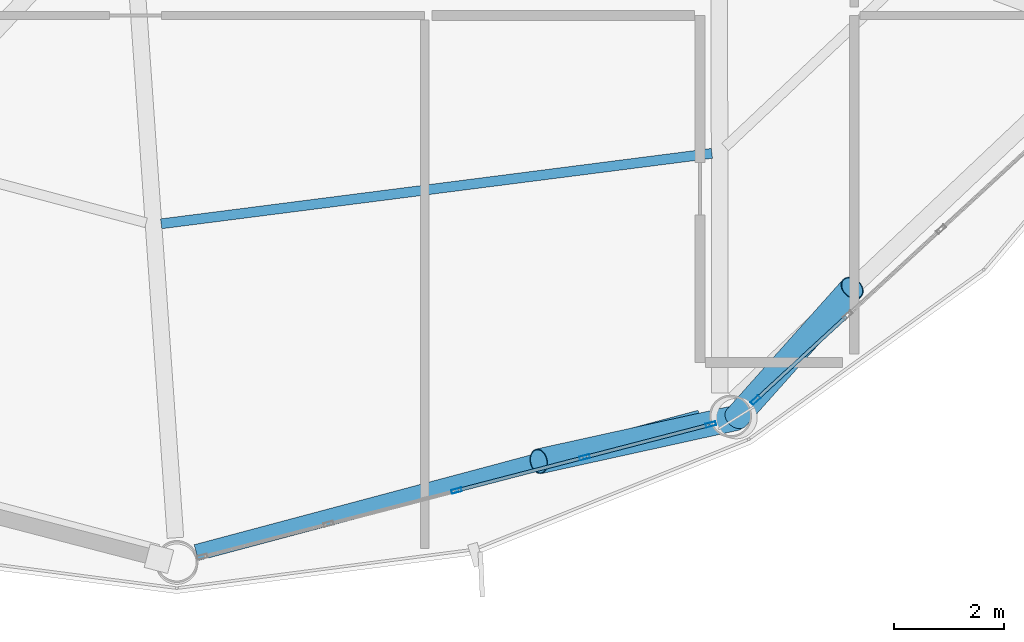
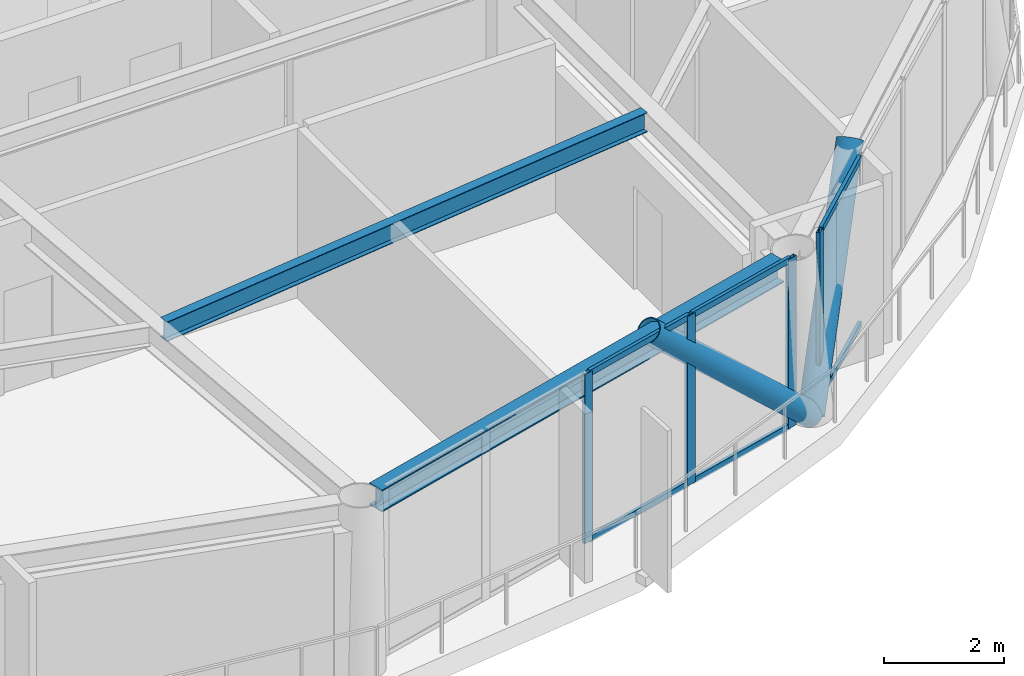
# One storey, part 8 of 26: 12 members, 2 beams, 2 elements without a shape of their own.
"""IFC4 building model written with IfcOpenShell, lengths in metres."""

from ifc_helpers import new_model, si_unit, direction, frame, origin, origin_2d, place, context, subcontext, project, spatial, hollow_rectangle, hollow_circle, i_section, extrude, material, layer, layer_set, material_profile, profile_set, type_object, element, aggregate, save


model = new_model("IFC4")

# Units and contexts
model_context = context("Model", 3, precision=1e-05, world=origin(), true_north=direction((0.0, 1.0)))
body_context = subcontext(model_context, "Body", "Model", "MODEL_VIEW")
ifc_project = project(units=[si_unit("LENGTHUNIT", "METRE"), si_unit("AREAUNIT", "SQUARE_METRE"), si_unit("VOLUMEUNIT", "CUBIC_METRE"), si_unit("PLANEANGLEUNIT", "RADIAN"), si_unit("MASSUNIT", "GRAM", prefix="KILO")], contexts=[model_context])

# Site, building, storey
site_placement = place(None, origin())
site = spatial("IfcSite", under=ifc_project, at=site_placement, CompositionType="ELEMENT")
building_placement = place(site_placement, origin())
building = spatial("IfcBuilding", under=site, at=building_placement, Name="Varnakorn Sky Granary", CompositionType="ELEMENT")
storey_placement = place(building_placement, frame((0.0, 0.0, 169.5)))
storey = spatial("IfcBuildingStorey", under=building, at=storey_placement, Name="L42", CompositionType="ELEMENT", Elevation=169.5)

# Beams
ifc_material_1 = material(Name="Steel S355JR", Category="steel")
ifc_material_profile_1 = material_profile(ifc_material_1, i_section(OverallWidth=0.179931640625, OverallDepth=0.39990234375, WebThickness=0.008544921875, FlangeThickness=0.013427734375, at=origin_2d()), Name="IPE 400")
ifc_profile_set_1 = profile_set([ifc_material_profile_1], Name="Steel S355JR")
beam_type_1 = type_object("IfcBeamType", Name="BM-SEC-Z3", PredefinedType="BEAM", material=ifc_profile_set_1)
beam_1_placement = place(storey_placement, frame((-1.7841796875, -12.68408203125, 3.25), z_axis=(0.991920625621, 0.126860050713, 0.0), x_axis=(-0.126860050713, 0.991920625621, 0.0)))
element("IfcBeam", 1, at=beam_1_placement, inside=storey, type_object=beam_type_1, Name="Secondary Floor Chord Beam MSB10 L42", PredefinedType="BEAM", context=body_context, shape_type="SweptSolid", body=[
    extrude(i_section(OverallWidth=0.179931640625, OverallDepth=0.39990234375, WebThickness=0.008544921875, FlangeThickness=0.013427734375, at=origin_2d()), origin(), (0.0, 0.0, 1.0), 10.08056640625),
])
ifc_material_profile_2 = material_profile(ifc_material_1, i_section(OverallWidth=0.300048828125, OverallDepth=0.449951171875, WebThickness=0.013916015625, FlangeThickness=0.02587890625, at=origin_2d()), Name="HE 450 B")
ifc_profile_set_2 = profile_set([ifc_material_profile_2], Name="Steel S355JR")
beam_type_2 = type_object("IfcBeamType", Name="BM-SPD-Z3", PredefinedType="SPANDREL", material=ifc_profile_set_2)
beam_2_placement = place(storey_placement, frame((-1.146484375, -18.65576171875, 3.22509765625), z_axis=(0.966226381463, 0.257694741438, 0.0), x_axis=(-0.257694741438, 0.966226381463, 0.0)))
element("IfcBeam", 2, at=beam_2_placement, inside=storey, type_object=beam_type_2, Name="Perimeter Spandrel Ring Beam RB10 L42", PredefinedType="SPANDREL", context=body_context, shape_type="SweptSolid", body=[
    extrude(i_section(OverallWidth=0.300048828125, OverallDepth=0.449951171875, WebThickness=0.013916015625, FlangeThickness=0.02587890625, at=origin_2d()), origin(), (0.0, 0.0, 1.0), 9.47021484375),
])

# Curtain wall, members
ifc_material_2 = material(Name="Anodised Bronze Aluminium Alloy 6063-T6", Category="aluminium")
ifc_layer = layer(ifc_material_2, 0.179931640625, Name="Anodised Bronze Aluminium Alloy 6063-T6")
ifc_layer_set = layer_set([ifc_layer], Name="Anodised Bronze Aluminium Alloy 6063-T6")
curtain_wall_type = type_object("IfcCurtainWallType", Name="CW-FRM-2", PredefinedType="USERDEFINED", material=ifc_layer_set)
curtain_wall_1_placement = place(storey_placement, origin())
curtain_wall_1 = element("IfcCurtainWall", 3, at=curtain_wall_1_placement, inside=storey, type_object=curtain_wall_type, Name="Unitised Curtain Wall CW4 CW-L42-B10", ObjectType="CURTAIN WALL", PredefinedType="USERDEFINED")
ifc_material_profile_3 = material_profile(ifc_material_2, hollow_rectangle(XDim=0.070068359375, YDim=0.18505859375, WallThickness=0.00390625, at=origin_2d()), Name="ALU MULL 70x185")
ifc_profile_set_3 = profile_set([ifc_material_profile_3], Name="Anodised Bronze Aluminium Alloy 6063-T6")
member_type_1 = type_object("IfcMemberType", Name="CW-FRM-2-MULL", PredefinedType="MULLION", material=ifc_profile_set_3)
member_1_placement = place(storey_placement, frame((8.19677734375, -16.327392578125, 0.0), z_axis=(0.0, 0.0, 1.0), x_axis=(0.251759148896, -0.967789920875, 0.0)))
member_1 = element("IfcMember", 4, at=member_1_placement, type_object=member_type_1, Name="CW4 mullion 1", PredefinedType="MULLION", context=body_context, shape_type="SweptSolid", body=[
    extrude(hollow_rectangle(XDim=0.070068359375, YDim=0.18505859375, WallThickness=0.00390625, at=origin_2d()), origin(), (0.0, 0.0, 1.0), 3.449951171875),
])
member_2_placement = place(storey_placement, frame((5.90478515625, -16.923828125, 0.0), z_axis=(0.0, 0.0, 1.0), x_axis=(0.251759148896, -0.967789920875, 0.0)))
member_2 = element("IfcMember", 5, at=member_2_placement, type_object=member_type_1, Name="CW4 mullion 2", PredefinedType="MULLION", context=body_context, shape_type="SweptSolid", body=[
    extrude(hollow_rectangle(XDim=0.070068359375, YDim=0.18505859375, WallThickness=0.00390625, at=origin_2d()), origin(), (0.0, 0.0, 1.0), 3.449951171875),
])
member_3_placement = place(storey_placement, frame((3.578857421875, -17.52880859375, 0.0), z_axis=(0.0, 0.0, 1.0), x_axis=(0.251759148896, -0.967789920875, 0.0)))
member_3 = element("IfcMember", 6, at=member_3_placement, type_object=member_type_1, Name="CW4 mullion 3", PredefinedType="MULLION", context=body_context, shape_type="SweptSolid", body=[
    extrude(hollow_rectangle(XDim=0.070068359375, YDim=0.18505859375, WallThickness=0.00390625, at=origin_2d()), origin(), (0.0, 0.0, 1.0), 3.449951171875),
])

# Curtain wall, member
curtain_wall_2_placement = place(storey_placement, origin())
curtain_wall_2 = element("IfcCurtainWall", 7, at=curtain_wall_2_placement, inside=storey, type_object=curtain_wall_type, Name="Unitised Curtain Wall CW4 CW-L42-B11", ObjectType="CURTAIN WALL", PredefinedType="USERDEFINED")
member_4_placement = place(storey_placement, frame((9.007568359375, -15.88525390625, 0.0), z_axis=(0.0, 0.0, 1.0), x_axis=(0.677547955322, -0.735478598084, 0.0)))
member_4 = element("IfcMember", 8, at=member_4_placement, type_object=member_type_1, Name="CW4 mullion 5", PredefinedType="MULLION", context=body_context, shape_type="SweptSolid", body=[
    extrude(hollow_rectangle(XDim=0.070068359375, YDim=0.18505859375, WallThickness=0.00390625, at=origin_2d()), origin(), (0.0, 0.0, 1.0), 3.449951171875),
])

# Member
ifc_material_profile_4 = material_profile(ifc_material_2, hollow_rectangle(XDim=0.06494140625, YDim=0.1201171875, WallThickness=0.00341796875, at=origin_2d()), Name="ALU TRAN 65x120")
ifc_profile_set_4 = profile_set([ifc_material_profile_4], Name="Anodised Bronze Aluminium Alloy 6063-T6")
member_type_2 = type_object("IfcMemberType", Name="CW-FRM-2-TRAN", PredefinedType="USERDEFINED", material=ifc_profile_set_4)
member_5_placement = place(storey_placement, frame((8.162841796875, -16.33642578125, 0.032470703125), z_axis=(-0.967793009375, -0.251747276064, 0.0), x_axis=(0.251747276064, -0.967793009375, 0.0)))
member_5 = element("IfcMember", 9, at=member_5_placement, type_object=member_type_2, Name="CW4 transom 1.1", ObjectType="TRANSOM", PredefinedType="USERDEFINED", context=body_context, shape_type="SweptSolid", body=[
    extrude(hollow_rectangle(XDim=0.06494140625, YDim=0.1201171875, WallThickness=0.00341796875, at=origin_2d()), origin(), (0.0, 0.0, 1.0), 2.29833984375),
])

member_6_placement = place(storey_placement, frame((8.162841796875, -16.33642578125, 3.41748046875), z_axis=(-0.967793009375, -0.251747276064, 0.0), x_axis=(0.251747276064, -0.967793009375, 0.0)))
member_6 = element("IfcMember", 10, at=member_6_placement, type_object=member_type_2, Name="CW4 transom 1.2", ObjectType="TRANSOM", PredefinedType="USERDEFINED", context=body_context, shape_type="SweptSolid", body=[
    extrude(hollow_rectangle(XDim=0.06494140625, YDim=0.1201171875, WallThickness=0.00341796875, at=origin_2d()), origin(), (0.0, 0.0, 1.0), 2.29833984375),
])

member_7_placement = place(storey_placement, frame((5.870849609375, -16.9326171875, 0.032470703125), z_axis=(-0.967797021362, -0.251731852259, 0.0), x_axis=(0.251731852259, -0.967797021362, 0.0)))
member_7 = element("IfcMember", 11, at=member_7_placement, type_object=member_type_2, Name="CW4 transom 2.1", ObjectType="TRANSOM", PredefinedType="USERDEFINED", context=body_context, shape_type="SweptSolid", body=[
    extrude(hollow_rectangle(XDim=0.06494140625, YDim=0.1201171875, WallThickness=0.00341796875, at=origin_2d()), origin(), (0.0, 0.0, 1.0), 2.33349609375),
])

member_8_placement = place(storey_placement, frame((5.870849609375, -16.9326171875, 3.41748046875), z_axis=(-0.967797021362, -0.251731852259, 0.0), x_axis=(0.251731852259, -0.967797021362, 0.0)))
member_8 = element("IfcMember", 12, at=member_8_placement, type_object=member_type_2, Name="CW4 transom 2.2", ObjectType="TRANSOM", PredefinedType="USERDEFINED", context=body_context, shape_type="SweptSolid", body=[
    extrude(hollow_rectangle(XDim=0.06494140625, YDim=0.1201171875, WallThickness=0.00341796875, at=origin_2d()), origin(), (0.0, 0.0, 1.0), 2.33349609375),
])

aggregate(curtain_wall_1, [member_1, member_2, member_3, member_5, member_6, member_7, member_8])

member_9_placement = place(storey_placement, frame((10.65283203125, -14.369384765625, 0.032470703125), z_axis=(-0.735449148752, -0.67757992119, 0.0), x_axis=(0.67757992119, -0.735449148752, 0.0)))
member_9 = element("IfcMember", 13, at=member_9_placement, type_object=member_type_2, Name="CW4 transom 4.1", ObjectType="TRANSOM", PredefinedType="USERDEFINED", context=body_context, shape_type="SweptSolid", body=[
    extrude(hollow_rectangle(XDim=0.06494140625, YDim=0.1201171875, WallThickness=0.00341796875, at=origin_2d()), origin(), (0.0, 0.0, 1.0), 2.2021484375),
])

member_10_placement = place(storey_placement, frame((10.65283203125, -14.369384765625, 3.41748046875), z_axis=(-0.735449148752, -0.67757992119, 0.0), x_axis=(0.67757992119, -0.735449148752, 0.0)))
member_10 = element("IfcMember", 14, at=member_10_placement, type_object=member_type_2, Name="CW4 transom 4.2", ObjectType="TRANSOM", PredefinedType="USERDEFINED", context=body_context, shape_type="SweptSolid", body=[
    extrude(hollow_rectangle(XDim=0.06494140625, YDim=0.1201171875, WallThickness=0.00341796875, at=origin_2d()), origin(), (0.0, 0.0, 1.0), 2.2021484375),
])

aggregate(curtain_wall_2, [member_4, member_9, member_10])

# Members
ifc_material_3 = material(Name="Steel S460M", Category="steel")
ifc_material_profile_5 = material_profile(ifc_material_3, hollow_circle(Radius=0.228515625, WallThickness=0.01611328125, at=origin_2d()), Name="CHS 457x16")
ifc_profile_set_5 = profile_set([ifc_material_profile_5], Name="Steel S460M")
member_type_3 = type_object("IfcMemberType", Name="MB-DIAG-T3", PredefinedType="BRACE", material=ifc_profile_set_5)
member_11_placement = place(storey_placement, frame((8.657470703125, -16.207763671875, 0.0), z_axis=(-0.711711211687, -0.156715058119, 0.684768239419), x_axis=(0.215043173699, -0.976604543019, 0.0)))
element("IfcMember", 15, at=member_11_placement, inside=storey, type_object=member_type_3, Name="Perimeter CHS Diagrid Brace DG10 L42", PredefinedType="BRACE", context=body_context, shape_type="SweptSolid", body=[
    extrude(hollow_circle(Radius=0.228515625, WallThickness=0.01611328125, at=origin_2d()), origin(), (0.0, 0.0, 1.0), 5.0380859375),
])
member_12_placement = place(storey_placement, frame((8.657470703125, -16.207763671875, 0.0), z_axis=(0.449963510676, 0.503913217314, 0.737295265465), x_axis=(-0.745907513489, 0.666049533685, 0.0)))
element("IfcMember", 16, at=member_12_placement, inside=storey, type_object=member_type_3, Name="Perimeter CHS Diagrid Brace DG11 L42", PredefinedType="BRACE", context=body_context, shape_type="SweptSolid", body=[
    extrude(hollow_circle(Radius=0.228515625, WallThickness=0.01611328125, at=origin_2d()), origin(), (0.0, 0.0, 1.0), 4.67919921875),
])

save(model, "model.ifc")
